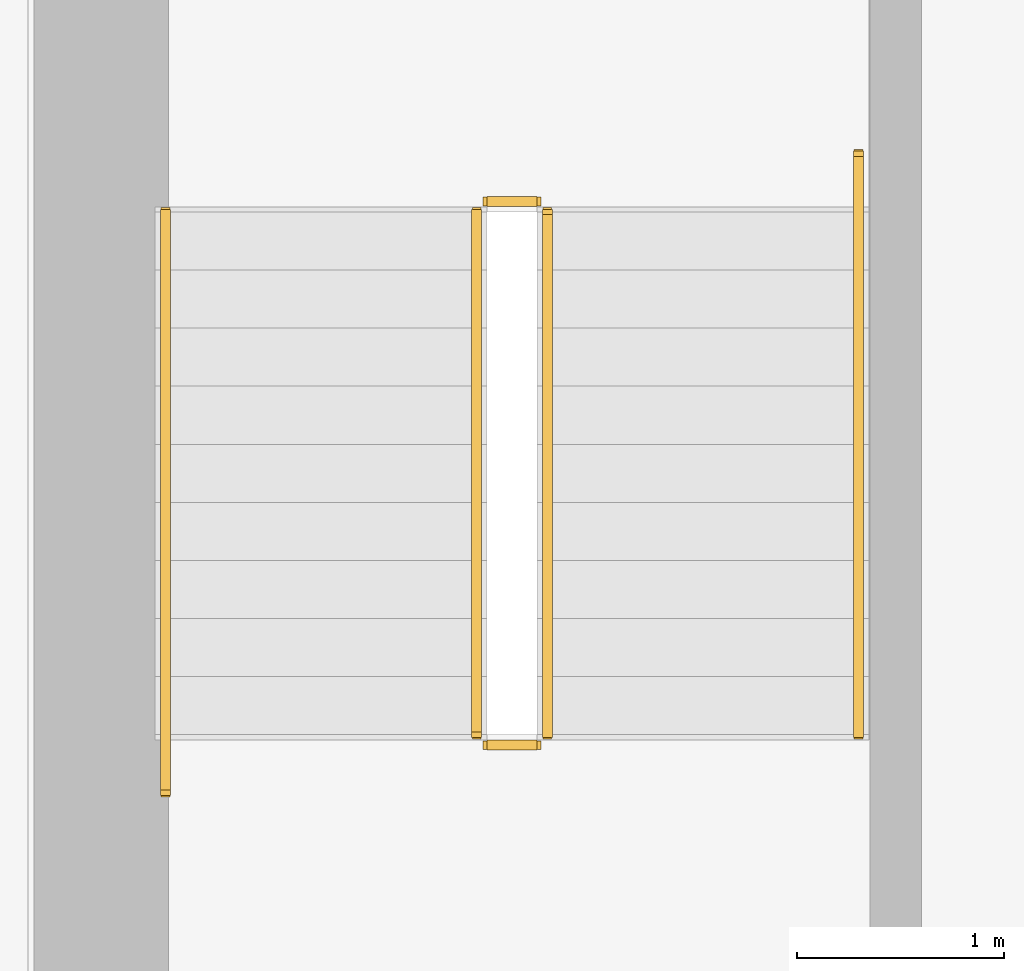
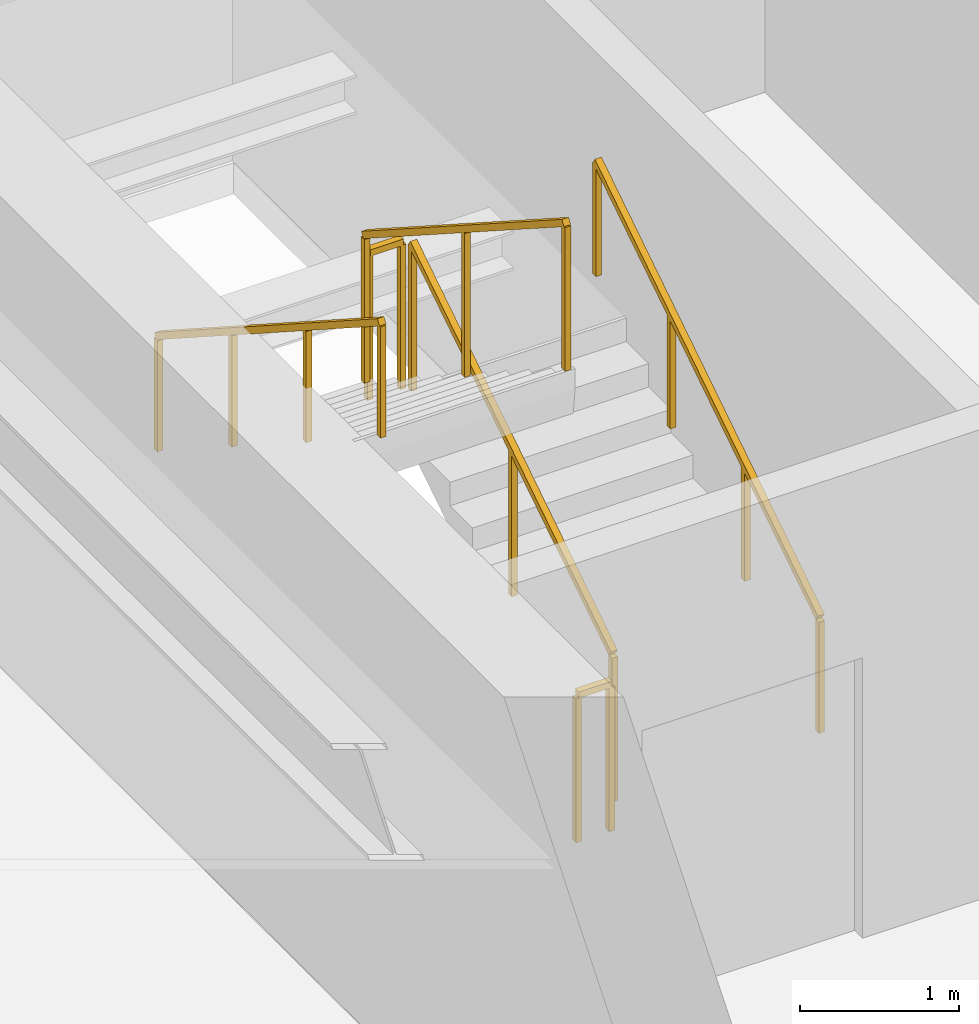
# One storey, part 33 of 36: 6 railings.
"""IFC4 building model written with IfcOpenShell, lengths in metres."""

from ifc_helpers import new_model, si_unit, direction, frame, origin, origin_2d, place, context, subcontext, project, spatial, rectangle, extrude, material, type_object, element, save


model = new_model("IFC4")

# Units and contexts
model_context = context("Model", 3, precision=1e-05, world=origin(), true_north=direction((0.0, 1.0)))
body_context = subcontext(model_context, "Body", "Model", "MODEL_VIEW")
ifc_project = project(units=[si_unit("LENGTHUNIT", "METRE"), si_unit("AREAUNIT", "SQUARE_METRE"), si_unit("VOLUMEUNIT", "CUBIC_METRE"), si_unit("PLANEANGLEUNIT", "RADIAN"), si_unit("MASSUNIT", "GRAM", prefix="KILO")], contexts=[model_context])

# Site, building, storey
site_placement = place(None, origin())
site = spatial("IfcSite", under=ifc_project, at=site_placement, CompositionType="ELEMENT")
building_placement = place(site_placement, origin())
building = spatial("IfcBuilding", under=site, at=building_placement, Name="Sumidabori Civic Tower", CompositionType="ELEMENT")
storey_placement = place(building_placement, frame((0.0, 0.0, 84.800048828125)))
storey = spatial("IfcBuildingStorey", under=building, at=storey_placement, Name="L21", CompositionType="ELEMENT", Elevation=84.800048828125)

# Railings
ifc_material_1 = material(Name="Stainless Steel Hairline Finish", Category="steel")
railing_type_1 = type_object("IfcRailingType", Name="RL-HANDRAIL", PredefinedType="HANDRAIL", material=ifc_material_1)
railing_1_placement = place(storey_placement, frame((-11.949951171875, 16.0, 0.179931640625)))
element("IfcRailing", 1, at=railing_1_placement, inside=storey, type_object=railing_type_1, Name="L21 ST-1 stair handrail 1", PredefinedType="HANDRAIL", context=body_context, shape_type="SweptSolid", body=[
    extrude(rectangle(XDim=0.048095703125, YDim=0.048095703125, at=origin_2d()), frame((0.0, 0.0, 0.8759765625), z_axis=(0.0, 0.840675598268, 0.541539046124), x_axis=(-1.0, 0.0, 0.0)), (0.0, 0.0, 1.0), 3.330810546875),
    extrude(rectangle(XDim=0.0419921875, YDim=0.0419921875, at=origin_2d()), origin(), (0.0, 0.0, 1.0), 0.851806640625),
    extrude(rectangle(XDim=0.0419921875, YDim=0.0419921875, at=origin_2d()), frame((0.0, 0.933349609375, 0.601318359375)), (0.0, 0.0, 1.0), 0.851806640625),
    extrude(rectangle(XDim=0.0419921875, YDim=0.0419921875, at=origin_2d()), frame((0.0, 1.86669921875, 1.202392578125)), (0.0, 0.0, 1.0), 0.851806640625),
    extrude(rectangle(XDim=0.0419921875, YDim=0.0419921875, at=origin_2d()), frame((0.0, 2.800048828125, 1.8037109375)), (0.0, 0.0, 1.0), 0.851806640625),
])
railing_2_placement = place(storey_placement, frame((-15.2900390625, 18.52001953125, 1.97998046875)))
element("IfcRailing", 2, at=railing_2_placement, inside=storey, type_object=railing_type_1, Name="L21 ST-1 stair handrail 2", PredefinedType="HANDRAIL", context=body_context, shape_type="SweptSolid", body=[
    extrude(rectangle(XDim=0.048095703125, YDim=0.048095703125, at=origin_2d()), frame((0.0, 0.0, 0.8759765625), z_axis=(0.0, -0.840675598268, 0.541539046124), x_axis=(1.0, 0.0, 0.0)), (0.0, 0.0, 1.0), 3.330810546875),
    extrude(rectangle(XDim=0.0419921875, YDim=0.0419921875, at=origin_2d()), origin(), (0.0, 0.0, 1.0), 0.851806640625),
    extrude(rectangle(XDim=0.0419921875, YDim=0.0419921875, at=origin_2d()), frame((0.0, -0.933349609375, 0.601318359375)), (0.0, 0.0, 1.0), 0.851806640625),
    extrude(rectangle(XDim=0.0419921875, YDim=0.0419921875, at=origin_2d()), frame((0.0, -1.86669921875, 1.202392578125)), (0.0, 0.0, 1.0), 0.851806640625),
    extrude(rectangle(XDim=0.0419921875, YDim=0.0419921875, at=origin_2d()), frame((0.0, -2.800048828125, 1.8037109375)), (0.0, 0.0, 1.0), 0.851806640625),
])
ifc_material_2 = material(Name="Steel SN490", Category="steel")
railing_type_2 = type_object("IfcRailingType", Name="RL-STAIR-GUARD", PredefinedType="GUARDRAIL", material=ifc_material_2)
railing_3_placement = place(storey_placement, frame((-13.449951171875, 16.0, 0.179931640625)))
element("IfcRailing", 3, at=railing_3_placement, inside=storey, type_object=railing_type_2, Name="L21 ST-1 stair guard 1", PredefinedType="GUARDRAIL", context=body_context, shape_type="SweptSolid", body=[
    extrude(rectangle(XDim=0.048095703125, YDim=0.048095703125, at=origin_2d()), frame((0.0, 0.0, 1.1259765625), z_axis=(0.0, 0.841162588446, 0.540782303519), x_axis=(-1.0, 0.0, 0.0)), (0.0, 0.0, 1.0), 2.995849609375),
    extrude(rectangle(XDim=0.0419921875, YDim=0.0419921875, at=origin_2d()), origin(), (0.0, 0.0, 1.0), 1.101806640625),
    extrude(rectangle(XDim=0.0419921875, YDim=0.0419921875, at=origin_2d()), frame((0.0, 1.260009765625, 0.81005859375)), (0.0, 0.0, 1.0), 1.101806640625),
    extrude(rectangle(XDim=0.0419921875, YDim=0.0419921875, at=origin_2d()), frame((0.0, 2.52001953125, 1.6201171875)), (0.0, 0.0, 1.0), 1.101806640625),
])
railing_4_placement = place(storey_placement, frame((-13.5, 18.570068359375, 1.800048828125)))
element("IfcRailing", 4, at=railing_4_placement, inside=storey, type_object=railing_type_2, Name="L21 ST-1 stair guard 2", PredefinedType="GUARDRAIL", context=body_context, shape_type="SweptSolid", body=[
    extrude(rectangle(XDim=0.048095703125, YDim=0.048095703125, at=origin_2d()), frame((0.0, 0.0, 1.1259765625), z_axis=(-1.0, 0.0, 0.0), x_axis=(0.0, -1.0, 0.0)), (0.0, 0.0, 1.0), 0.239990234375),
    extrude(rectangle(XDim=0.0419921875, YDim=0.0419921875, at=origin_2d()), origin(), (0.0, 0.0, 1.0), 1.101806640625),
    extrude(rectangle(XDim=0.0419921875, YDim=0.0419921875, at=origin_2d()), frame((-0.239990234375, 0.0, 0.0)), (0.0, 0.0, 1.0), 1.101806640625),
])
railing_5_placement = place(storey_placement, frame((-13.7900390625, 18.52001953125, 1.97998046875)))
element("IfcRailing", 5, at=railing_5_placement, inside=storey, type_object=railing_type_2, Name="L21 ST-1 stair guard 3", PredefinedType="GUARDRAIL", context=body_context, shape_type="SweptSolid", body=[
    extrude(rectangle(XDim=0.048095703125, YDim=0.048095703125, at=origin_2d()), frame((0.0, 0.0, 1.1259765625), z_axis=(0.0, -0.841199657755, 0.540724639528), x_axis=(1.0, 0.0, 0.0)), (0.0, 0.0, 1.0), 2.995849609375),
    extrude(rectangle(XDim=0.0419921875, YDim=0.0419921875, at=origin_2d()), origin(), (0.0, 0.0, 1.0), 1.101806640625),
    extrude(rectangle(XDim=0.0419921875, YDim=0.0419921875, at=origin_2d()), frame((0.0, -1.260009765625, 0.81005859375)), (0.0, 0.0, 1.0), 1.101806640625),
    extrude(rectangle(XDim=0.0419921875, YDim=0.0419921875, at=origin_2d()), frame((0.0, -2.52001953125, 1.619873046875)), (0.0, 0.0, 1.0), 1.101806640625),
])
railing_6_placement = place(storey_placement, frame((-13.5, 15.949951171875, 0.0)))
element("IfcRailing", 6, at=railing_6_placement, inside=storey, type_object=railing_type_2, Name="L21 ST-1 stair guard 4", PredefinedType="GUARDRAIL", context=body_context, shape_type="SweptSolid", body=[
    extrude(rectangle(XDim=0.048095703125, YDim=0.048095703125, at=origin_2d()), frame((0.0, 0.0, 1.1259765625), z_axis=(-1.0, 0.0, 0.0), x_axis=(0.0, -1.0, 0.0)), (0.0, 0.0, 1.0), 0.239990234375),
    extrude(rectangle(XDim=0.0419921875, YDim=0.0419921875, at=origin_2d()), origin(), (0.0, 0.0, 1.0), 1.101806640625),
    extrude(rectangle(XDim=0.0419921875, YDim=0.0419921875, at=origin_2d()), frame((-0.239990234375, 0.0, 0.0)), (0.0, 0.0, 1.0), 1.101806640625),
])

save(model, "model.ifc")
